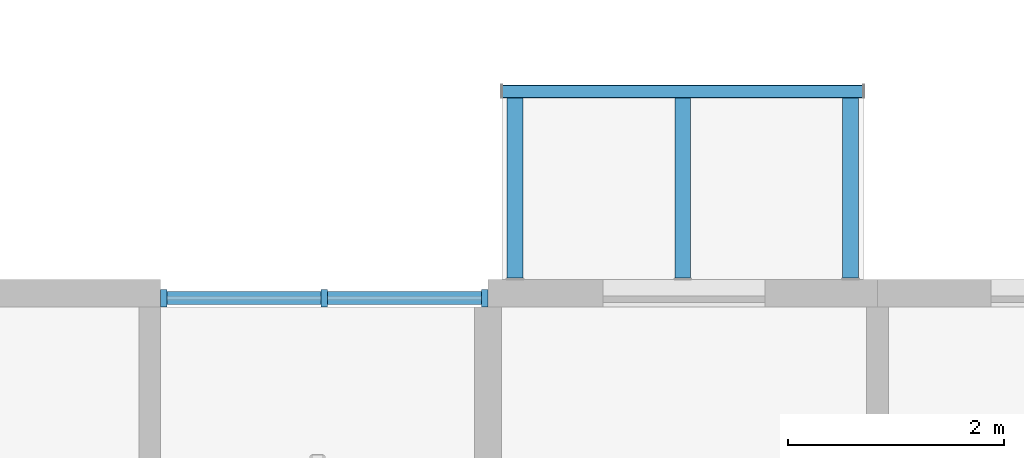
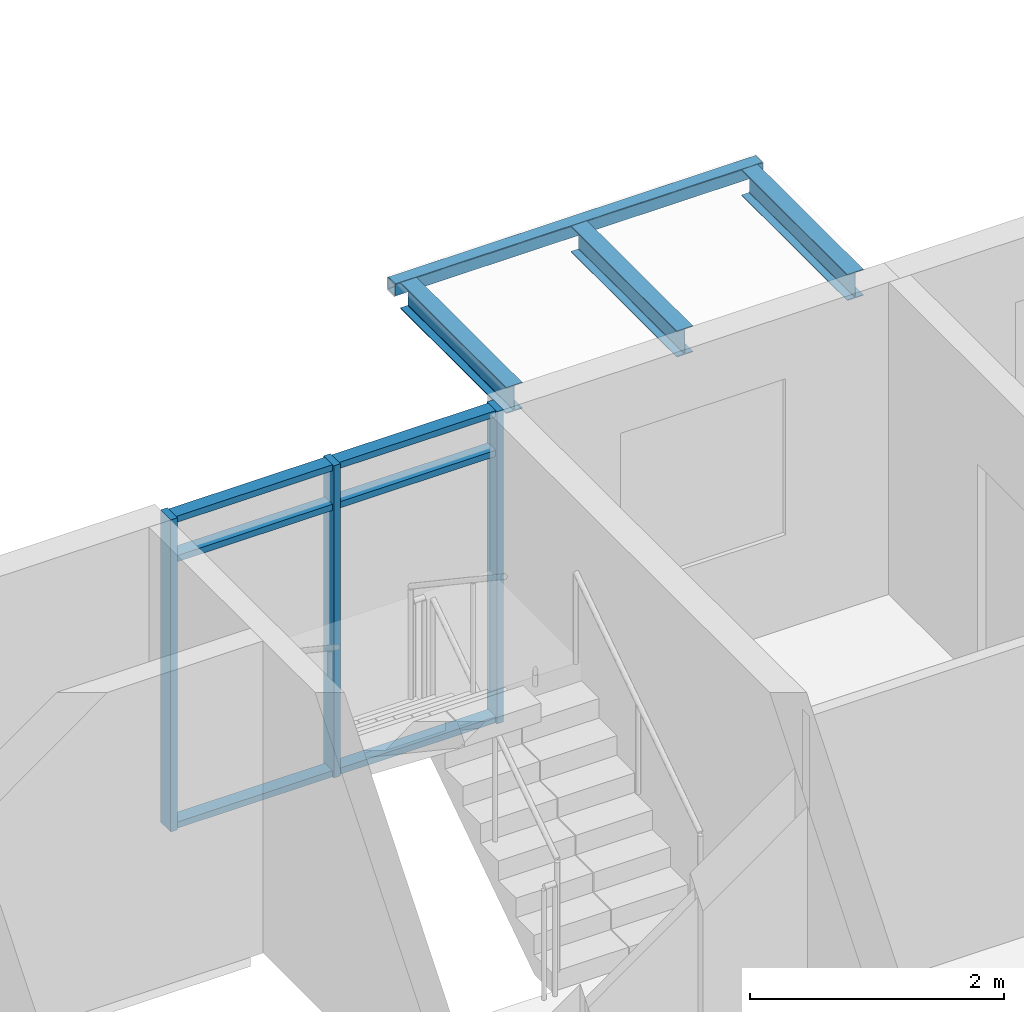
# One storey, part 20 of 99: 9 members, 4 beams, 1 element without a shape of its own.
"""IFC4 building model written with IfcOpenShell, lengths in metres."""

from ifc_helpers import new_model, si_unit, direction, frame, origin, origin_2d, place, context, subcontext, project, spatial, rectangle, hollow_rectangle, i_section, extrude, material, material_profile, profile_set, type_object, element, aggregate, save


model = new_model("IFC4")

# Units and contexts
model_context = context("Model", 3, precision=1e-05, world=origin(), true_north=direction((0.0, 1.0)))
body_context = subcontext(model_context, "Body", "Model", "MODEL_VIEW")
ifc_project = project(units=[si_unit("LENGTHUNIT", "METRE"), si_unit("AREAUNIT", "SQUARE_METRE"), si_unit("VOLUMEUNIT", "CUBIC_METRE"), si_unit("PLANEANGLEUNIT", "RADIAN"), si_unit("MASSUNIT", "GRAM", prefix="KILO")], contexts=[model_context])

# Site, building, storey
site_placement = place(None, origin())
site = spatial("IfcSite", under=ifc_project, at=site_placement, CompositionType="ELEMENT")
building_placement = place(site_placement, origin())
building = spatial("IfcBuilding", under=site, at=building_placement, Name="Ridgestep Commons", CompositionType="ELEMENT")
storey_placement = place(building_placement, frame((0.0, 0.0, 15.0)))
storey = spatial("IfcBuildingStorey", under=building, at=storey_placement, Name="L05", CompositionType="ELEMENT", Elevation=15.0)

# Curtain wall, members
ifc_material_1 = material(Name="Aluminium 6063-T6 and glass", Category="aluminium")
curtain_wall_type = type_object("IfcCurtainWallType", Name="Curtain wall stair strip", PredefinedType="NOTDEFINED", material=ifc_material_1)
curtain_wall_placement = place(storey_placement, origin())
curtain_wall = element("IfcCurtainWall", 1, at=curtain_wall_placement, inside=storey, type_object=curtain_wall_type, Name="Curtain wall C6C level 05", PredefinedType="NOTDEFINED")
ifc_material_2 = material(Name="Aluminium 6063-T6", Category="aluminium")
ifc_material_profile_1 = material_profile(ifc_material_2, rectangle(XDim=0.159912109375, YDim=0.06005859375, at=origin_2d()), Name="Mullion 60 x 160")
ifc_profile_set_1 = profile_set([ifc_material_profile_1], Name="Aluminium 6063-T6")
member_type_1 = type_object("IfcMemberType", Name="Mullion 60 x 160", PredefinedType="MULLION", material=ifc_profile_set_1)
member_1_placement = place(storey_placement, frame((233.804931640625, 77.080078125, 0.0), z_axis=(0.0, 0.0, 1.0), x_axis=(0.0, 1.0, 0.0)))
member_1 = element("IfcMember", 2, at=member_1_placement, type_object=member_type_1, Name="CW1 mullion 1", PredefinedType="MULLION", context=body_context, shape_type="SweptSolid", body=[
    extrude(rectangle(XDim=0.159912109375, YDim=0.06005859375, at=origin_2d()), origin(), (0.0, 0.0, 1.0), 3.0),
])
member_2_placement = place(storey_placement, frame((235.28759765625, 77.080078125, 0.0), z_axis=(0.0, 0.0, 1.0), x_axis=(0.0, 1.0, 0.0)))
member_2 = element("IfcMember", 3, at=member_2_placement, type_object=member_type_1, Name="CW1 mullion 2", PredefinedType="MULLION", context=body_context, shape_type="SweptSolid", body=[
    extrude(rectangle(XDim=0.159912109375, YDim=0.06005859375, at=origin_2d()), origin(), (0.0, 0.0, 1.0), 3.0),
])
member_3_placement = place(storey_placement, frame((236.77001953125, 77.080078125, 0.0), z_axis=(0.0, 0.0, 1.0), x_axis=(0.0, 1.0, 0.0)))
member_3 = element("IfcMember", 4, at=member_3_placement, type_object=member_type_1, Name="CW1 mullion 3", PredefinedType="MULLION", context=body_context, shape_type="SweptSolid", body=[
    extrude(rectangle(XDim=0.159912109375, YDim=0.06005859375, at=origin_2d()), origin(), (0.0, 0.0, 1.0), 3.0),
])
ifc_material_3 = material(Name="Aluminium 6063-T6", Category="aluminium")
ifc_material_profile_2 = material_profile(ifc_material_3, rectangle(XDim=0.1201171875, YDim=0.06005859375, at=origin_2d()), Name="Transom 60 x 120")
ifc_profile_set_2 = profile_set([ifc_material_profile_2], Name="Aluminium 6063-T6")
member_type_2 = type_object("IfcMemberType", Name="Transom 60 x 120", PredefinedType="USERDEFINED", material=ifc_profile_set_2)
member_4_placement = place(storey_placement, frame((233.8349609375, 77.080078125, 0.030029296875), z_axis=(1.0, 0.0, 0.0), x_axis=(0.0, 1.0, 0.0)))
member_4 = element("IfcMember", 5, at=member_4_placement, type_object=member_type_2, Name="CW1 transom 1.1", ObjectType="TRANSOM", PredefinedType="USERDEFINED", context=body_context, shape_type="SweptSolid", body=[
    extrude(rectangle(XDim=0.1201171875, YDim=0.06005859375, at=origin_2d()), origin(), (0.0, 0.0, 1.0), 1.422607421875),
])
member_5_placement = place(storey_placement, frame((233.8349609375, 77.080078125, 2.590087890625), z_axis=(1.0, 0.0, 0.0), x_axis=(0.0, 1.0, 0.0)))
member_5 = element("IfcMember", 6, at=member_5_placement, type_object=member_type_2, Name="CW1 transom 1.2", ObjectType="TRANSOM", PredefinedType="USERDEFINED", context=body_context, shape_type="SweptSolid", body=[
    extrude(rectangle(XDim=0.1201171875, YDim=0.06005859375, at=origin_2d()), origin(), (0.0, 0.0, 1.0), 1.422607421875),
])
member_6_placement = place(storey_placement, frame((233.8349609375, 77.080078125, 2.969970703125), z_axis=(1.0, 0.0, 0.0), x_axis=(0.0, 1.0, 0.0)))
member_6 = element("IfcMember", 7, at=member_6_placement, type_object=member_type_2, Name="CW1 transom 1.3", ObjectType="TRANSOM", PredefinedType="USERDEFINED", context=body_context, shape_type="SweptSolid", body=[
    extrude(rectangle(XDim=0.1201171875, YDim=0.06005859375, at=origin_2d()), origin(), (0.0, 0.0, 1.0), 1.422607421875),
])
member_7_placement = place(storey_placement, frame((235.3173828125, 77.080078125, 0.030029296875), z_axis=(1.0, 0.0, 0.0), x_axis=(0.0, 1.0, 0.0)))
member_7 = element("IfcMember", 8, at=member_7_placement, type_object=member_type_2, Name="CW1 transom 2.1", ObjectType="TRANSOM", PredefinedType="USERDEFINED", context=body_context, shape_type="SweptSolid", body=[
    extrude(rectangle(XDim=0.1201171875, YDim=0.06005859375, at=origin_2d()), origin(), (0.0, 0.0, 1.0), 1.422607421875),
])
member_8_placement = place(storey_placement, frame((235.3173828125, 77.080078125, 2.590087890625), z_axis=(1.0, 0.0, 0.0), x_axis=(0.0, 1.0, 0.0)))
member_8 = element("IfcMember", 9, at=member_8_placement, type_object=member_type_2, Name="CW1 transom 2.2", ObjectType="TRANSOM", PredefinedType="USERDEFINED", context=body_context, shape_type="SweptSolid", body=[
    extrude(rectangle(XDim=0.1201171875, YDim=0.06005859375, at=origin_2d()), origin(), (0.0, 0.0, 1.0), 1.422607421875),
])
member_9_placement = place(storey_placement, frame((235.3173828125, 77.080078125, 2.969970703125), z_axis=(1.0, 0.0, 0.0), x_axis=(0.0, 1.0, 0.0)))
member_9 = element("IfcMember", 10, at=member_9_placement, type_object=member_type_2, Name="CW1 transom 2.3", ObjectType="TRANSOM", PredefinedType="USERDEFINED", context=body_context, shape_type="SweptSolid", body=[
    extrude(rectangle(XDim=0.1201171875, YDim=0.06005859375, at=origin_2d()), origin(), (0.0, 0.0, 1.0), 1.422607421875),
])
aggregate(curtain_wall, [member_1, member_2, member_3, member_4, member_5, member_6, member_7, member_8, member_9])

# Beams
ifc_material_4 = material(Name="Weathering steel S355J2W", Category="steel")
ifc_material_profile_3 = material_profile(ifc_material_4, i_section(OverallWidth=0.14599609375, OverallDepth=0.25146484375, WebThickness=0.006103515625, FlangeThickness=0.008544921875, FilletRadius=0.007568359375, at=origin_2d()), Name="UB 254x146x31")
ifc_profile_set_3 = profile_set([ifc_material_profile_3], Name="Weathering steel S355J2W")
beam_type_1 = type_object("IfcBeamType", Name="Tray arm UB 254x146x31", PredefinedType="BEAM", material=ifc_profile_set_3)
for number, where, z_axis, x_axis, name in (
    (11, (237.050048828125, 77.264892578125, 2.8642578125), (0.0, 1.0, 0.0), (-1.0, 0.0, 0.0), "Tray arm C6T3-06.1"),
    (12, (238.60009765625, 77.264892578125, 2.8642578125), (0.0, 1.0, 0.0), (-1.0, 0.0, 0.0), "Tray arm C6T3-06.2"),
    (13, (240.14990234375, 77.264892578125, 2.8642578125), (0.0, 1.0, 0.0), (-1.0, 0.0, 0.0), "Tray arm C6T3-06.3"),
):
    element("IfcBeam", number, at=place(storey_placement, frame(where, z_axis=z_axis, x_axis=x_axis)), inside=storey, type_object=beam_type_1, Name=name, PredefinedType="BEAM", context=body_context, shape_type="SweptSolid", body=[
        extrude(i_section(OverallWidth=0.14599609375, OverallDepth=0.25146484375, WebThickness=0.006103515625, FlangeThickness=0.008544921875, FilletRadius=0.007568359375, at=origin_2d()), origin(), (0.0, 0.0, 1.0), 1.6650390625),
    ])
ifc_material_5 = material(Name="Weathering steel S355J2W", Category="steel")
ifc_material_profile_4 = material_profile(ifc_material_5, hollow_rectangle(XDim=0.1201171875, YDim=0.1201171875, WallThickness=0.00634765625, InnerFilletRadius=0.00634765625, OuterFilletRadius=0.009521484375, at=origin_2d()), Name="SHS 120x120x6.3")
ifc_profile_set_4 = profile_set([ifc_material_profile_4], Name="Weathering steel S355J2W")
beam_type_2 = type_object("IfcBeamType", Name="Tray edge member SHS 120x120x6.3", PredefinedType="BEAM", material=ifc_profile_set_4)
beam_placement = place(storey_placement, frame((236.929931640625, 78.989990234375, 2.929931640625), z_axis=(1.0, 0.0, 0.0), x_axis=(0.0, 0.0, 1.0)))
element("IfcBeam", 14, at=beam_placement, inside=storey, type_object=beam_type_2, Name="Tray edge member C6T3-06", PredefinedType="BEAM", context=body_context, shape_type="SweptSolid", body=[
    extrude(hollow_rectangle(XDim=0.1201171875, YDim=0.1201171875, WallThickness=0.00634765625, InnerFilletRadius=0.00634765625, OuterFilletRadius=0.009521484375, at=origin_2d()), origin(), (0.0, 0.0, 1.0), 3.340087890625),
])

save(model, "model.ifc")
